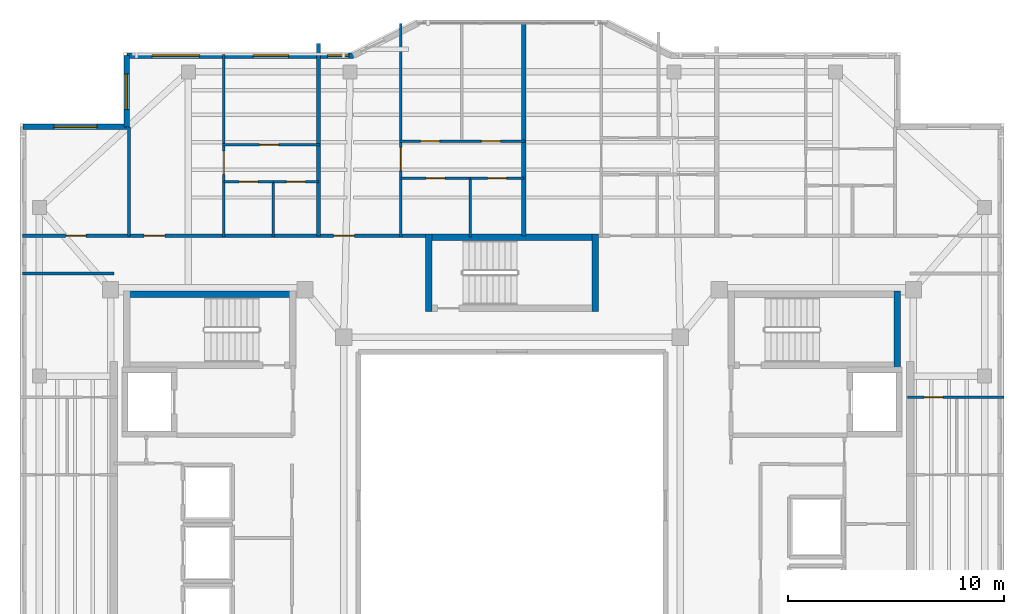
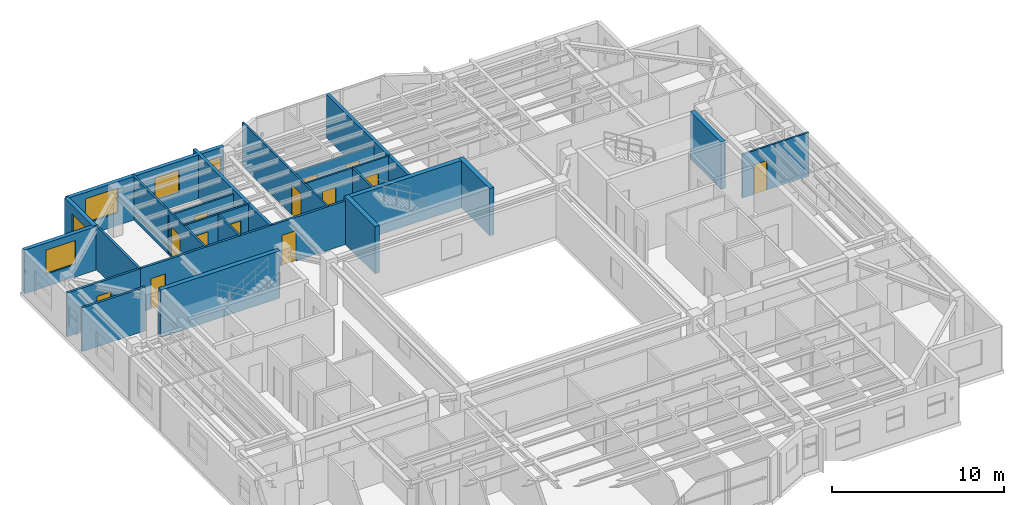
# One storey, part 10 of 15: 25 walls, 13 doors, 5 windows, 18 openings.
"""IFC4 building model written with IfcOpenShell, lengths in metres."""

from ifc_helpers import new_model, si_unit, direction, frame, frame_2d, origin, place, context, subcontext, project, spatial, rectangle, extrude, material, layer, layer_set, type_object, element, fill, save


model = new_model("IFC4")

# Units and contexts
model_context = context("Model", 3, precision=1e-05, world=origin(), true_north=direction((0.0, 1.0)))
body_context = subcontext(model_context, "Body", "Model", "MODEL_VIEW")
ifc_project = project(units=[si_unit("LENGTHUNIT", "METRE"), si_unit("AREAUNIT", "SQUARE_METRE"), si_unit("VOLUMEUNIT", "CUBIC_METRE"), si_unit("PLANEANGLEUNIT", "RADIAN"), si_unit("MASSUNIT", "GRAM", prefix="KILO")], contexts=[model_context])

# Site, building, storey
site_placement = place(None, origin())
site = spatial("IfcSite", under=ifc_project, at=site_placement, CompositionType="ELEMENT")
building_placement = place(site_placement, origin())
building = spatial("IfcBuilding", under=site, at=building_placement, Name="Tarnavaz Court Tower", CompositionType="ELEMENT")
storey_placement = place(building_placement, frame((0.0, 0.0, 241.5)))
storey = spatial("IfcBuildingStorey", under=building, at=storey_placement, Name="L65", CompositionType="ELEMENT", Elevation=241.5)

# Walls
ifc_material_1 = material(Name="Concrete C50/60", Category="concrete")
ifc_layer_1 = layer(ifc_material_1, 0.300048828125)
ifc_layer_set_1 = layer_set([ifc_layer_1], Name="Concrete C50/60")
wall_type_1 = type_object("IfcWallType", Name="WL-CORE-300-C50", PredefinedType="SHEAR", material=ifc_layer_set_1)
wall_1_placement = place(storey_placement, frame((-18.0, 9.7900390625, 0.0), z_axis=(0.0, 0.0, 1.0), x_axis=(1.0, 0.0, 0.0)))
element("IfcWall", 1, at=wall_1_placement, inside=storey, type_object=wall_type_1, Name="L65 West Stair Core Wall 001", PredefinedType="SHEAR", context=body_context, shape_type="SweptSolid", body=[
    extrude(rectangle(XDim=8.0, YDim=0.300048828125, at=frame_2d((4.0, 0.0))), origin(), (0.0, 0.0, 1.0), 3.35009765625),
])
wall_2_placement = place(storey_placement, frame((17.85009765625, 6.35009765625, 0.0), z_axis=(0.0, 0.0, 1.0), x_axis=(0.0, 1.0, 0.0)))
element("IfcWall", 2, at=wall_2_placement, inside=storey, type_object=wall_type_1, Name="L65 East Stair Core Wall 008", PredefinedType="SHEAR", context=body_context, shape_type="SweptSolid", body=[
    extrude(rectangle(XDim=3.58984375, YDim=0.300048828125, at=frame_2d((1.794921875, 0.0))), origin(), (0.0, 0.0, 1.0), 3.35009765625),
])
wall_3_placement = place(storey_placement, frame((-4.0, 12.43994140625, 0.0), z_axis=(0.0, 0.0, 1.0), x_axis=(1.0, 0.0, 0.0)))
element("IfcWall", 3, at=wall_3_placement, inside=storey, type_object=wall_type_1, Name="L65 North Stair Core Wall 009", PredefinedType="SHEAR", context=body_context, shape_type="SweptSolid", body=[
    extrude(rectangle(XDim=8.0, YDim=0.300048828125, at=frame_2d((4.0, 0.0))), origin(), (0.0, 0.0, 1.0), 3.35009765625),
])
for number, where, z_axis, x_axis, name in (
    (4, (-3.85009765625, 9.0, 0.0), (0.0, 0.0, 1.0), (0.0, 1.0, 0.0), "L65 North Stair Core Wall 011"),
    (5, (3.85009765625, 9.0, 0.0), (0.0, 0.0, 1.0), (0.0, 1.0, 0.0), "L65 North Stair Core Wall 012"),
):
    element("IfcWall", number, at=place(storey_placement, frame(where, z_axis=z_axis, x_axis=x_axis)), inside=storey, type_object=wall_type_1, Name=name, PredefinedType="SHEAR", context=body_context, shape_type="SweptSolid", body=[
        extrude(rectangle(XDim=3.590087890625, YDim=0.300048828125, at=frame_2d((1.794921875, 0.0))), origin(), (0.0, 0.0, 1.0), 3.35009765625),
    ])

# Wall, opening, window
ifc_material_2 = material(Name="Precast Concrete C40/50", Category="concrete")
ifc_layer_2 = layer(ifc_material_2, 0.260009765625)
ifc_layer_set_2 = layer_set([ifc_layer_2], Name="Precast Concrete C40/50")
wall_type_2 = type_object("IfcWallType", Name="WL-EXT-260", PredefinedType="SOLIDWALL", material=ifc_layer_set_2)
wall_4_placement = place(storey_placement, frame((-22.64990234375, 17.550048828125, 0.0), z_axis=(0.0, 0.0, 1.0), x_axis=(1.0, 0.0, 0.0)))
wall_4 = element("IfcWall", 6, at=wall_4_placement, inside=storey, type_object=wall_type_2, Name="L65 Exterior Terracotta Facade Wall 03", PredefinedType="SOLIDWALL", context=body_context, shape_type="SweptSolid", body=[
    extrude(rectangle(XDim=4.7998046875, YDim=0.260009765625, at=frame_2d((2.39990234375, 0.0))), origin(), (0.0, 0.0, 1.0), 3.10009765625),
])
opening_1_placement = place(wall_4_placement, frame((1.42529296875, 0.0, 0.89990234375)))
opening_1 = element("IfcOpeningElement", 7, at=opening_1_placement, cuts=wall_4, Name="Opening W08", PredefinedType="OPENING", context=body_context, shape_type="SweptSolid", body=[
    extrude(rectangle(XDim=2.0, YDim=1.699951171875, at=frame_2d((1.0, 0.85009765625))), frame((0.0, 0.139892578125, 0.0), z_axis=(0.0, -1.0, 0.0), x_axis=(1.0, 0.0, 0.0)), (0.0, 0.0, 1.0), 0.280029296875),
])
ifc_material_3 = material(Name="Double-Glazed Solar Low-E Glass", Category="glass")
window_type_1 = type_object("IfcWindowType", Name="WN-APT-2000", PartitioningType="DOUBLE_PANEL_VERTICAL", PredefinedType="WINDOW", material=ifc_material_3)
window_1_placement = place(opening_1_placement, origin())
window_1 = element("IfcWindow", 8, at=window_1_placement, inside=storey, type_object=window_type_1, Name="L65 North-West Corner Sunroom Study Window", OverallHeight=1.699951171875, OverallWidth=2.0, PartitioningType="SINGLE_PANEL", PredefinedType="WINDOW", context=body_context, shape_type="SweptSolid", body=[
    extrude(rectangle(XDim=2.0, YDim=1.699951171875, at=frame_2d((1.0, 0.85009765625))), frame((0.0, 0.030029296875, 0.0), z_axis=(0.0, -1.0, 0.0), x_axis=(1.0, 0.0, 0.0)), (0.0, 0.0, 1.0), 0.06005859375),
])
fill(opening_1, window_1)

wall_5_placement = place(storey_placement, frame((-17.85009765625, 17.550048828125, 0.0), z_axis=(0.0, 0.0, 1.0), x_axis=(0.0, 1.0, 0.0)))
wall_5 = element("IfcWall", 9, at=wall_5_placement, inside=storey, type_object=wall_type_2, Name="L65 Exterior Terracotta Facade Wall 04", PredefinedType="SOLIDWALL", context=body_context, shape_type="SweptSolid", body=[
    extrude(rectangle(XDim=3.300048828125, YDim=0.260009765625, at=frame_2d((1.64990234375, 0.0))), origin(), (0.0, 0.0, 1.0), 3.10009765625),
])
opening_2_placement = place(wall_5_placement, frame((0.8076171875, 0.0, 0.89990234375)))
opening_2 = element("IfcOpeningElement", 10, at=opening_2_placement, cuts=wall_5, Name="Opening W02", PredefinedType="OPENING", context=body_context, shape_type="SweptSolid", body=[
    extrude(rectangle(XDim=1.64990234375, YDim=1.60009765625, at=frame_2d((0.824951171875, 0.800048828125))), frame((0.0, 0.139892578125, 0.0), z_axis=(0.0, -1.0, 0.0), x_axis=(1.0, 0.0, 0.0)), (0.0, 0.0, 1.0), 0.280029296875),
])
window_type_2 = type_object("IfcWindowType", Name="WN-APT-1650", PartitioningType="DOUBLE_PANEL_VERTICAL", PredefinedType="WINDOW", material=ifc_material_3)
window_2_placement = place(opening_2_placement, origin())
window_2 = element("IfcWindow", 11, at=window_2_placement, inside=storey, type_object=window_type_2, Name="L65 Flat 01 Living and Dining Room Window", OverallHeight=1.60009765625, OverallWidth=1.64990234375, PartitioningType="SINGLE_PANEL", PredefinedType="WINDOW", context=body_context, shape_type="SweptSolid", body=[
    extrude(rectangle(XDim=1.64990234375, YDim=1.60009765625, at=frame_2d((0.824951171875, 0.800048828125))), frame((0.0, 0.030029296875, 0.0), z_axis=(0.0, -1.0, 0.0), x_axis=(1.0, 0.0, 0.0)), (0.0, 0.0, 1.0), 0.06005859375),
])
fill(opening_2, window_2)

# Wall, openings, windows
wall_6_placement = place(storey_placement, frame((-17.85009765625, 20.85009765625, 0.0), z_axis=(0.0, 0.0, 1.0), x_axis=(1.0, 0.0, 0.0)))
wall_6 = element("IfcWall", 12, at=wall_6_placement, inside=storey, type_object=wall_type_2, Name="L65 Exterior Terracotta Facade Wall 05", PredefinedType="SOLIDWALL", context=body_context, shape_type="SweptSolid", body=[
    extrude(rectangle(XDim=10.5, YDim=0.260009765625, at=frame_2d((5.25, 0.0))), origin(), (0.0, 0.0, 1.0), 3.10009765625),
])
opening_3_placement = place(wall_6_placement, frame((1.175048828125, 0.0, 0.89990234375)))
opening_3 = element("IfcOpeningElement", 13, at=opening_3_placement, cuts=wall_6, Name="Opening W07", PredefinedType="OPENING", context=body_context, shape_type="SweptSolid", body=[
    extrude(rectangle(XDim=2.199951171875, YDim=1.75, at=frame_2d((1.10009765625, 0.875))), frame((0.0, 0.139892578125, 0.0), z_axis=(0.0, -1.0, 0.0), x_axis=(1.0, 0.0, 0.0)), (0.0, 0.0, 1.0), 0.280029296875),
])
opening_4_placement = place(wall_6_placement, frame((5.85009765625, 0.0, 0.89990234375)))
opening_4 = element("IfcOpeningElement", 14, at=opening_4_placement, cuts=wall_6, Name="Opening W02", PredefinedType="OPENING", context=body_context, shape_type="SweptSolid", body=[
    extrude(rectangle(XDim=1.64990234375, YDim=1.60009765625, at=frame_2d((0.824951171875, 0.800048828125))), frame((0.0, 0.139892578125, 0.0), z_axis=(0.0, -1.0, 0.0), x_axis=(1.0, 0.0, 0.0)), (0.0, 0.0, 1.0), 0.280029296875),
])
opening_5_placement = place(wall_6_placement, frame((9.2919921875, 0.0, 0.949951171875)))
opening_5 = element("IfcOpeningElement", 15, at=opening_5_placement, cuts=wall_6, Name="Opening W14", PredefinedType="OPENING", context=body_context, shape_type="SweptSolid", body=[
    extrude(rectangle(XDim=1.0, YDim=1.5, at=frame_2d((0.5, 0.75))), frame((0.0, 0.139892578125, 0.0), z_axis=(0.0, -1.0, 0.0), x_axis=(1.0, 0.0, 0.0)), (0.0, 0.0, 1.0), 0.280029296875),
])
window_type_3 = type_object("IfcWindowType", Name="WN-APT-1000", PartitioningType="SINGLE_PANEL", PredefinedType="WINDOW", material=ifc_material_3)
window_3_placement = place(opening_5_placement, origin())
window_3 = element("IfcWindow", 16, at=window_3_placement, inside=storey, type_object=window_type_3, Name="L65 Flat 02 Living and Dining Room Window", OverallHeight=1.5, OverallWidth=1.0, PartitioningType="SINGLE_PANEL", PredefinedType="WINDOW", context=body_context, shape_type="SweptSolid", body=[
    extrude(rectangle(XDim=1.0, YDim=1.5, at=frame_2d((0.5, 0.75))), frame((0.0, 0.030029296875, 0.0), z_axis=(0.0, -1.0, 0.0), x_axis=(1.0, 0.0, 0.0)), (0.0, 0.0, 1.0), 0.06005859375),
])
fill(opening_5, window_3)
window_4_placement = place(opening_4_placement, origin())
window_4 = element("IfcWindow", 17, at=window_4_placement, inside=storey, type_object=window_type_2, Name="L65 Flat 01 Bedroom 1 Window", OverallHeight=1.60009765625, OverallWidth=1.64990234375, PartitioningType="SINGLE_PANEL", PredefinedType="WINDOW", context=body_context, shape_type="SweptSolid", body=[
    extrude(rectangle(XDim=1.64990234375, YDim=1.60009765625, at=frame_2d((0.824951171875, 0.800048828125))), frame((0.0, 0.030029296875, 0.0), z_axis=(0.0, -1.0, 0.0), x_axis=(1.0, 0.0, 0.0)), (0.0, 0.0, 1.0), 0.06005859375),
])
fill(opening_4, window_4)
window_type_4 = type_object("IfcWindowType", Name="WN-APT-2200", PartitioningType="TRIPLE_PANEL_VERTICAL", PredefinedType="WINDOW", material=ifc_material_3)
window_5_placement = place(opening_3_placement, origin())
window_5 = element("IfcWindow", 18, at=window_5_placement, inside=storey, type_object=window_type_4, Name="L65 Flat 01 Living and Dining Room Window", OverallHeight=1.75, OverallWidth=2.199951171875, PartitioningType="SINGLE_PANEL", PredefinedType="WINDOW", context=body_context, shape_type="SweptSolid", body=[
    extrude(rectangle(XDim=2.199951171875, YDim=1.75, at=frame_2d((1.10009765625, 0.875))), frame((0.0, 0.030029296875, 0.0), z_axis=(0.0, -1.0, 0.0), x_axis=(1.0, 0.0, 0.0)), (0.0, 0.0, 1.0), 0.06005859375),
])
fill(opening_3, window_5)

# Wall, openings, doors
ifc_material_4 = material(Name="Gypsum Fire-Board on Acoustic Metal Stud", Category="masonry")
ifc_layer_3 = layer(ifc_material_4, 0.14990234375)
ifc_layer_set_3 = layer_set([ifc_layer_3], Name="Gypsum Fire-Board on Acoustic Metal Stud")
wall_type_3 = type_object("IfcWallType", Name="WL-FIRE-150", PredefinedType="PARTITIONING", material=ifc_layer_set_3)
wall_7_placement = place(storey_placement, frame((-17.75, 12.5, 0.0), z_axis=(0.0, 0.0, 1.0), x_axis=(1.0, 0.0, 0.0)))
wall_7 = element("IfcWall", 19, at=wall_7_placement, inside=storey, type_object=wall_type_3, Name="L65 NW Wing Corridor Wall 060", PredefinedType="PARTITIONING", context=body_context, shape_type="SweptSolid", body=[
    extrude(rectangle(XDim=13.89990234375, YDim=0.14990234375, at=frame_2d((6.949951171875, 0.0))), origin(), (0.0, 0.0, 1.0), 3.10009765625),
])
opening_6_placement = place(wall_7_placement, frame((0.699951171875, 0.0, 0.0)))
opening_6 = element("IfcOpeningElement", 20, at=opening_6_placement, cuts=wall_7, Name="Opening D06", PredefinedType="OPENING", context=body_context, shape_type="SweptSolid", body=[
    extrude(rectangle(XDim=0.9599609375, YDim=2.14990234375, at=frame_2d((0.47998046875, 1.074951171875))), frame((0.0, 0.0849609375, 0.0), z_axis=(0.0, -1.0, 0.0), x_axis=(1.0, 0.0, 0.0)), (0.0, 0.0, 1.0), 0.169921875),
])
opening_7_placement = place(wall_7_placement, frame((9.48388671875, 0.0, 0.0)))
opening_7 = element("IfcOpeningElement", 21, at=opening_7_placement, cuts=wall_7, Name="Opening D06", PredefinedType="OPENING", context=body_context, shape_type="SweptSolid", body=[
    extrude(rectangle(XDim=0.9599609375, YDim=2.14990234375, at=frame_2d((0.47998046875, 1.074951171875))), frame((0.0, 0.0849609375, 0.0), z_axis=(0.0, -1.0, 0.0), x_axis=(1.0, 0.0, 0.0)), (0.0, 0.0, 1.0), 0.169921875),
])
ifc_material_5 = material(Name="Fire-Rated Hardwood Timber Core", Category="wood")
door_type_1 = type_object("IfcDoorType", Name="DR-FD60-950", OperationType="NOTDEFINED", PredefinedType="DOOR", material=ifc_material_5)
door_1_placement = place(opening_6_placement, origin())
door_1 = element("IfcDoor", 22, at=door_1_placement, inside=storey, type_object=door_type_1, Name="L65 Flat 01 Entrance Door", OperationType="SINGLE_SWING_RIGHT", OverallHeight=2.14990234375, OverallWidth=0.9599609375, PredefinedType="DOOR", context=body_context, shape_type="SweptSolid", body=[
    extrude(rectangle(XDim=0.9599609375, YDim=2.14990234375, at=frame_2d((0.47998046875, 1.074951171875))), frame((0.0, 0.02490234375, 0.0), z_axis=(0.0, -1.0, 0.0), x_axis=(1.0, 0.0, 0.0)), (0.0, 0.0, 1.0), 0.050048828125),
])
fill(opening_6, door_1)
door_2_placement = place(opening_7_placement, origin())
door_2 = element("IfcDoor", 23, at=door_2_placement, inside=storey, type_object=door_type_1, Name="L65 Flat 02 Entrance Door", OperationType="SINGLE_SWING_LEFT", OverallHeight=2.14990234375, OverallWidth=0.9599609375, PredefinedType="DOOR", context=body_context, shape_type="SweptSolid", body=[
    extrude(rectangle(XDim=0.9599609375, YDim=2.14990234375, at=frame_2d((0.47998046875, 1.074951171875))), frame((0.0, 0.02490234375, 0.0), z_axis=(0.0, -1.0, 0.0), x_axis=(1.0, 0.0, 0.0)), (0.0, 0.0, 1.0), 0.050048828125),
])
fill(opening_7, door_2)

# Wall
wall_8_placement = place(storey_placement, frame((-22.679931640625, 10.75, 0.0), z_axis=(0.0, 0.0, 1.0), x_axis=(1.0, 0.0, 0.0)))
element("IfcWall", 24, at=wall_8_placement, inside=storey, type_object=wall_type_3, Name="L65 Interior Partition 112", PredefinedType="PARTITIONING", context=body_context, shape_type="SweptSolid", body=[
    extrude(rectangle(XDim=4.22998046875, YDim=0.14990234375, at=frame_2d((2.114990234375, 0.0))), origin(), (0.0, 0.0, 1.0), 3.10009765625),
])

# Wall, opening, door
wall_9_placement = place(storey_placement, frame((-22.679931640625, 12.5, 0.0), z_axis=(0.0, 0.0, 1.0), x_axis=(1.0, 0.0, 0.0)))
wall_9 = element("IfcWall", 25, at=wall_9_placement, inside=storey, type_object=wall_type_3, Name="L65 Interior Partition 119", PredefinedType="PARTITIONING", context=body_context, shape_type="SweptSolid", body=[
    extrude(rectangle(XDim=4.929931640625, YDim=0.14990234375, at=frame_2d((2.46484375, 0.0))), origin(), (0.0, 0.0, 1.0), 3.10009765625),
])
opening_8_placement = place(wall_9_placement, frame((1.989990234375, 0.0, 0.0)))
opening_8 = element("IfcOpeningElement", 26, at=opening_8_placement, cuts=wall_9, Name="Opening D13", PredefinedType="OPENING", context=body_context, shape_type="SweptSolid", body=[
    extrude(rectangle(XDim=0.949951171875, YDim=2.14990234375, at=frame_2d((0.47509765625, 1.074951171875))), frame((0.0, 0.0849609375, 0.0), z_axis=(0.0, -1.0, 0.0), x_axis=(1.0, 0.0, 0.0)), (0.0, 0.0, 1.0), 0.169921875),
])
ifc_material_6 = material(Name="Engineered Oak Timber", Category="wood")
door_type_2 = type_object("IfcDoorType", Name="DR-INT-950", OperationType="NOTDEFINED", PredefinedType="DOOR", material=ifc_material_6)
door_3_placement = place(opening_8_placement, origin())
door_3 = element("IfcDoor", 27, at=door_3_placement, inside=storey, type_object=door_type_2, Name="L65 NW Sunroom Door", OperationType="SINGLE_SWING_LEFT", OverallHeight=2.14990234375, OverallWidth=0.949951171875, PredefinedType="DOOR", context=body_context, shape_type="SweptSolid", body=[
    extrude(rectangle(XDim=0.949951171875, YDim=2.14990234375, at=frame_2d((0.47509765625, 1.074951171875))), frame((0.0, 0.02490234375, 0.0), z_axis=(0.0, -1.0, 0.0), x_axis=(1.0, 0.0, 0.0)), (0.0, 0.0, 1.0), 0.050048828125),
])
fill(opening_8, door_3)

# Walls
ifc_material_7 = material(Name="Autoclaved Aerated Concrete Blockwork", Category="masonry")
ifc_layer_4 = layer(ifc_material_7, 0.199951171875)
ifc_layer_set_4 = layer_set([ifc_layer_4], Name="Autoclaved Aerated Concrete Blockwork")
wall_type_4 = type_object("IfcWallType", Name="WL-FIRE-200", PredefinedType="SOLIDWALL", material=ifc_layer_set_4)
wall_10_placement = place(storey_placement, frame((0.550048828125, 12.5, 0.0), z_axis=(0.0, 0.0, 1.0), x_axis=(0.0, 1.0, 0.0)))
element("IfcWall", 28, at=wall_10_placement, inside=storey, type_object=wall_type_4, Name="L65 North Center Party Wall 064", PredefinedType="SOLIDWALL", context=body_context, shape_type="SweptSolid", body=[
    extrude(rectangle(XDim=9.8798828125, YDim=0.199951171875, at=frame_2d((4.93994140625, 0.0))), origin(), (0.0, 0.0, 1.0), 3.10009765625),
])
wall_11_placement = place(storey_placement, frame((-8.966064453125, 12.5, 0.0), z_axis=(0.0, 0.0, 1.0), x_axis=(0.0, 1.0, 0.0)))
element("IfcWall", 29, at=wall_11_placement, inside=storey, type_object=wall_type_4, Name="L65 Party Wall 065", PredefinedType="SOLIDWALL", context=body_context, shape_type="SweptSolid", body=[
    extrude(rectangle(XDim=8.902099609375, YDim=0.199951171875, at=frame_2d((4.451171875, 0.0))), origin(), (0.0, 0.0, 1.0), 3.10009765625),
])

# Wall, opening, door
ifc_material_8 = material(Name="Moisture-Resistant Gypsum Board Partition", Category="masonry")
ifc_layer_5 = layer(ifc_material_8, 0.1201171875)
ifc_layer_set_5 = layer_set([ifc_layer_5], Name="Moisture-Resistant Gypsum Board Partition")
wall_type_5 = type_object("IfcWallType", Name="WL-PART-120", PredefinedType="PARTITIONING", material=ifc_layer_set_5)
wall_12_placement = place(storey_placement, frame((-13.35791015625, 12.43994140625, 0.0), z_axis=(0.0, 0.0, 1.0), x_axis=(0.0, 1.0, 0.0)))
wall_12 = element("IfcWall", 30, at=wall_12_placement, inside=storey, type_object=wall_type_5, Name="L65 Interior Partition 066", PredefinedType="PARTITIONING", context=body_context, shape_type="SweptSolid", body=[
    extrude(rectangle(XDim=8.4599609375, YDim=0.1201171875, at=frame_2d((4.22998046875, 0.0))), origin(), (0.0, 0.0, 1.0), 3.10009765625),
])
opening_9_placement = place(wall_12_placement, frame((2.905029296875, 0.0, 0.0)))
opening_9 = element("IfcOpeningElement", 31, at=opening_9_placement, cuts=wall_12, Name="Opening D12", PredefinedType="OPENING", context=body_context, shape_type="SweptSolid", body=[
    extrude(rectangle(XDim=1.080078125, YDim=2.14990234375, at=frame_2d((0.5400390625, 1.074951171875))), frame((0.0, 0.070068359375, 0.0), z_axis=(0.0, -1.0, 0.0), x_axis=(1.0, 0.0, 0.0)), (0.0, 0.0, 1.0), 0.14013671875),
])
door_type_3 = type_object("IfcDoorType", Name="DR-INT-1100", OperationType="NOTDEFINED", PredefinedType="DOOR", material=ifc_material_6)
door_4_placement = place(opening_9_placement, origin())
door_4 = element("IfcDoor", 32, at=door_4_placement, inside=storey, type_object=door_type_3, Name="L65 Flat 01 Foyer Door", OperationType="SINGLE_SWING_LEFT", OverallHeight=2.14990234375, OverallWidth=1.080078125, PredefinedType="DOOR", context=body_context, shape_type="SweptSolid", body=[
    extrude(rectangle(XDim=1.080078125, YDim=2.14990234375, at=frame_2d((0.5400390625, 1.074951171875))), frame((0.0, 0.02490234375, 0.0), z_axis=(0.0, -1.0, 0.0), x_axis=(1.0, 0.0, 0.0)), (0.0, 0.0, 1.0), 0.050048828125),
])
fill(opening_9, door_4)

wall_13_placement = place(storey_placement, frame((-13.35791015625, 15.0, 0.0), z_axis=(0.0, 0.0, 1.0), x_axis=(1.0, 0.0, 0.0)))
wall_13 = element("IfcWall", 33, at=wall_13_placement, inside=storey, type_object=wall_type_5, Name="L65 Interior Partition 067", PredefinedType="PARTITIONING", context=body_context, shape_type="SweptSolid", body=[
    extrude(rectangle(XDim=2.2958984375, YDim=0.1201171875, at=frame_2d((1.14794921875, 0.0))), origin(), (0.0, 0.0, 1.0), 3.10009765625),
])
opening_10_placement = place(wall_13_placement, frame((0.7080078125, 0.0, 0.0)))
opening_10 = element("IfcOpeningElement", 34, at=opening_10_placement, cuts=wall_13, Name="Opening D14", PredefinedType="OPENING", context=body_context, shape_type="SweptSolid", body=[
    extrude(rectangle(XDim=0.8798828125, YDim=2.10009765625, at=frame_2d((0.43994140625, 1.050048828125))), frame((0.0, 0.070068359375, 0.0), z_axis=(0.0, -1.0, 0.0), x_axis=(1.0, 0.0, 0.0)), (0.0, 0.0, 1.0), 0.14013671875),
])
door_type_4 = type_object("IfcDoorType", Name="DR-INT-900", OperationType="NOTDEFINED", PredefinedType="DOOR", material=ifc_material_6)
door_5_placement = place(opening_10_placement, origin())
door_5 = element("IfcDoor", 35, at=door_5_placement, inside=storey, type_object=door_type_4, Name="L65 Flat 01 Kitchen Door", OperationType="SINGLE_SWING_RIGHT", OverallHeight=2.10009765625, OverallWidth=0.8798828125, PredefinedType="DOOR", context=body_context, shape_type="SweptSolid", body=[
    extrude(rectangle(XDim=0.8798828125, YDim=2.10009765625, at=frame_2d((0.43994140625, 1.050048828125))), frame((0.0, 0.02490234375, 0.0), z_axis=(0.0, -1.0, 0.0), x_axis=(1.0, 0.0, 0.0)), (0.0, 0.0, 1.0), 0.050048828125),
])
fill(opening_10, door_5)

wall_14_placement = place(storey_placement, frame((-11.06201171875, 15.0, 0.0), z_axis=(0.0, 0.0, 1.0), x_axis=(1.0, 0.0, 0.0)))
wall_14 = element("IfcWall", 36, at=wall_14_placement, inside=storey, type_object=wall_type_5, Name="L65 Interior Partition 068", PredefinedType="PARTITIONING", context=body_context, shape_type="SweptSolid", body=[
    extrude(rectangle(XDim=2.095947265625, YDim=0.1201171875, at=frame_2d((1.0478515625, 0.0))), origin(), (0.0, 0.0, 1.0), 3.10009765625),
])
opening_11_placement = place(wall_14_placement, frame((0.60791015625, 0.0, 0.0)))
opening_11 = element("IfcOpeningElement", 37, at=opening_11_placement, cuts=wall_14, Name="Opening D14", PredefinedType="OPENING", context=body_context, shape_type="SweptSolid", body=[
    extrude(rectangle(XDim=0.8798828125, YDim=2.10009765625, at=frame_2d((0.43994140625, 1.050048828125))), frame((0.0, 0.070068359375, 0.0), z_axis=(0.0, -1.0, 0.0), x_axis=(1.0, 0.0, 0.0)), (0.0, 0.0, 1.0), 0.14013671875),
])
door_6_placement = place(opening_11_placement, origin())
door_6 = element("IfcDoor", 38, at=door_6_placement, inside=storey, type_object=door_type_4, Name="L65 Flat 01 Bathroom Door", OperationType="SINGLE_SWING_LEFT", OverallHeight=2.10009765625, OverallWidth=0.8798828125, PredefinedType="DOOR", context=body_context, shape_type="SweptSolid", body=[
    extrude(rectangle(XDim=0.8798828125, YDim=2.10009765625, at=frame_2d((0.43994140625, 1.050048828125))), frame((0.0, 0.02490234375, 0.0), z_axis=(0.0, -1.0, 0.0), x_axis=(1.0, 0.0, 0.0)), (0.0, 0.0, 1.0), 0.050048828125),
])
fill(opening_11, door_6)

wall_15_placement = place(storey_placement, frame((-13.41796875, 16.7099609375, 0.0), z_axis=(0.0, 0.0, 1.0), x_axis=(1.0, 0.0, 0.0)))
wall_15 = element("IfcWall", 39, at=wall_15_placement, inside=storey, type_object=wall_type_5, Name="L65 Interior Partition 069", PredefinedType="PARTITIONING", context=body_context, shape_type="SweptSolid", body=[
    extrude(rectangle(XDim=4.511962890625, YDim=0.1201171875, at=frame_2d((2.255859375, 0.0))), origin(), (0.0, 0.0, 1.0), 2.784912109375),
])
opening_12_placement = place(wall_15_placement, frame((1.72607421875, 0.0, 0.0)))
opening_12 = element("IfcOpeningElement", 40, at=opening_12_placement, cuts=wall_15, Name="Opening D14", PredefinedType="OPENING", context=body_context, shape_type="SweptSolid", body=[
    extrude(rectangle(XDim=0.8798828125, YDim=2.10009765625, at=frame_2d((0.43994140625, 1.050048828125))), frame((0.0, 0.070068359375, 0.0), z_axis=(0.0, -1.0, 0.0), x_axis=(1.0, 0.0, 0.0)), (0.0, 0.0, 1.0), 0.14013671875),
])
door_7_placement = place(opening_12_placement, origin())
door_7 = element("IfcDoor", 41, at=door_7_placement, inside=storey, type_object=door_type_4, Name="L65 Flat 01 Bedroom 1 Door", OperationType="SINGLE_SWING_RIGHT", OverallHeight=2.10009765625, OverallWidth=0.8798828125, PredefinedType="DOOR", context=body_context, shape_type="SweptSolid", body=[
    extrude(rectangle(XDim=0.8798828125, YDim=2.10009765625, at=frame_2d((0.43994140625, 1.050048828125))), frame((0.0, 0.02490234375, 0.0), z_axis=(0.0, -1.0, 0.0), x_axis=(1.0, 0.0, 0.0)), (0.0, 0.0, 1.0), 0.050048828125),
])
fill(opening_12, door_7)

# Wall
wall_16_placement = place(storey_placement, frame((-11.06201171875, 12.43994140625, 0.0), z_axis=(0.0, 0.0, 1.0), x_axis=(0.0, 1.0, 0.0)))
element("IfcWall", 42, at=wall_16_placement, inside=storey, type_object=wall_type_5, Name="L65 Interior Partition 070", PredefinedType="PARTITIONING", context=body_context, shape_type="SweptSolid", body=[
    extrude(rectangle(XDim=2.6201171875, YDim=0.1201171875, at=frame_2d((1.31005859375, 0.0))), origin(), (0.0, 0.0, 1.0), 3.10009765625),
])

# Wall, opening, door
wall_17_placement = place(storey_placement, frame((-5.14794921875, 12.43994140625, 0.0), z_axis=(0.0, 0.0, 1.0), x_axis=(0.0, 1.0, 0.0)))
wall_17 = element("IfcWall", 43, at=wall_17_placement, inside=storey, type_object=wall_type_5, Name="L65 Interior Partition 071", PredefinedType="PARTITIONING", context=body_context, shape_type="SweptSolid", body=[
    extrude(rectangle(XDim=9.903076171875, YDim=0.1201171875, at=frame_2d((4.95166015625, 0.0))), origin(), (0.0, 0.0, 1.0), 3.10009765625),
])
opening_13_placement = place(wall_17_placement, frame((3.074951171875, 0.0, 0.0)))
opening_13 = element("IfcOpeningElement", 44, at=opening_13_placement, cuts=wall_17, Name="Opening D12", PredefinedType="OPENING", context=body_context, shape_type="SweptSolid", body=[
    extrude(rectangle(XDim=1.080078125, YDim=2.14990234375, at=frame_2d((0.5400390625, 1.074951171875))), frame((0.0, 0.070068359375, 0.0), z_axis=(0.0, -1.0, 0.0), x_axis=(1.0, 0.0, 0.0)), (0.0, 0.0, 1.0), 0.14013671875),
])
door_8_placement = place(opening_13_placement, origin())
door_8 = element("IfcDoor", 45, at=door_8_placement, inside=storey, type_object=door_type_3, Name="L65 Flat 02 Foyer Door", OperationType="SINGLE_SWING_RIGHT", OverallHeight=2.14990234375, OverallWidth=1.080078125, PredefinedType="DOOR", context=body_context, shape_type="SweptSolid", body=[
    extrude(rectangle(XDim=1.080078125, YDim=2.14990234375, at=frame_2d((0.5400390625, 1.074951171875))), frame((0.0, 0.02490234375, 0.0), z_axis=(0.0, -1.0, 0.0), x_axis=(1.0, 0.0, 0.0)), (0.0, 0.0, 1.0), 0.050048828125),
])
fill(opening_13, door_8)

wall_18_placement = place(storey_placement, frame((-5.14794921875, 15.169921875, 0.0), z_axis=(0.0, 0.0, 1.0), x_axis=(1.0, 0.0, 0.0)))
wall_18 = element("IfcWall", 46, at=wall_18_placement, inside=storey, type_object=wall_type_5, Name="L65 Interior Partition 072", PredefinedType="PARTITIONING", context=body_context, shape_type="SweptSolid", body=[
    extrude(rectangle(XDim=3.2138671875, YDim=0.1201171875, at=frame_2d((1.60693359375, 0.0))), origin(), (0.0, 0.0, 1.0), 3.10009765625),
])
opening_14_placement = place(wall_18_placement, frame((1.1669921875, 0.0, 0.0)))
opening_14 = element("IfcOpeningElement", 47, at=opening_14_placement, cuts=wall_18, Name="Opening D14", PredefinedType="OPENING", context=body_context, shape_type="SweptSolid", body=[
    extrude(rectangle(XDim=0.8798828125, YDim=2.10009765625, at=frame_2d((0.43994140625, 1.050048828125))), frame((0.0, 0.070068359375, 0.0), z_axis=(0.0, -1.0, 0.0), x_axis=(1.0, 0.0, 0.0)), (0.0, 0.0, 1.0), 0.14013671875),
])
door_9_placement = place(opening_14_placement, origin())
door_9 = element("IfcDoor", 48, at=door_9_placement, inside=storey, type_object=door_type_4, Name="L65 Flat 02 Kitchen Door", OperationType="SINGLE_SWING_LEFT", OverallHeight=2.10009765625, OverallWidth=0.8798828125, PredefinedType="DOOR", context=body_context, shape_type="SweptSolid", body=[
    extrude(rectangle(XDim=0.8798828125, YDim=2.10009765625, at=frame_2d((0.43994140625, 1.050048828125))), frame((0.0, 0.02490234375, 0.0), z_axis=(0.0, -1.0, 0.0), x_axis=(1.0, 0.0, 0.0)), (0.0, 0.0, 1.0), 0.050048828125),
])
fill(opening_14, door_9)

wall_19_placement = place(storey_placement, frame((-1.93408203125, 15.169921875, 0.0), z_axis=(0.0, 0.0, 1.0), x_axis=(1.0, 0.0, 0.0)))
wall_19 = element("IfcWall", 49, at=wall_19_placement, inside=storey, type_object=wall_type_5, Name="L65 Interior Partition 073", PredefinedType="PARTITIONING", context=body_context, shape_type="SweptSolid", body=[
    extrude(rectangle(XDim=2.484130859375, YDim=0.1201171875, at=frame_2d((1.2421875, 0.0))), origin(), (0.0, 0.0, 1.0), 3.10009765625),
])
opening_15_placement = place(wall_19_placement, frame((0.802001953125, 0.0, 0.0)))
opening_15 = element("IfcOpeningElement", 50, at=opening_15_placement, cuts=wall_19, Name="Opening D14", PredefinedType="OPENING", context=body_context, shape_type="SweptSolid", body=[
    extrude(rectangle(XDim=0.8798828125, YDim=2.10009765625, at=frame_2d((0.43994140625, 1.050048828125))), frame((0.0, 0.070068359375, 0.0), z_axis=(0.0, -1.0, 0.0), x_axis=(1.0, 0.0, 0.0)), (0.0, 0.0, 1.0), 0.14013671875),
])
door_10_placement = place(opening_15_placement, origin())
door_10 = element("IfcDoor", 51, at=door_10_placement, inside=storey, type_object=door_type_4, Name="L65 Flat 02 Bathroom Door", OperationType="SINGLE_SWING_RIGHT", OverallHeight=2.10009765625, OverallWidth=0.8798828125, PredefinedType="DOOR", context=body_context, shape_type="SweptSolid", body=[
    extrude(rectangle(XDim=0.8798828125, YDim=2.10009765625, at=frame_2d((0.43994140625, 1.050048828125))), frame((0.0, 0.02490234375, 0.0), z_axis=(0.0, -1.0, 0.0), x_axis=(1.0, 0.0, 0.0)), (0.0, 0.0, 1.0), 0.050048828125),
])
fill(opening_15, door_10)

# Wall, openings, doors
wall_20_placement = place(storey_placement, frame((-5.2080078125, 16.8798828125, 0.0), z_axis=(0.0, 0.0, 1.0), x_axis=(1.0, 0.0, 0.0)))
wall_20 = element("IfcWall", 52, at=wall_20_placement, inside=storey, type_object=wall_type_5, Name="L65 Interior Partition 074", PredefinedType="PARTITIONING", context=body_context, shape_type="SweptSolid", body=[
    extrude(rectangle(XDim=5.818115234375, YDim=0.1201171875, at=frame_2d((2.9091796875, 0.0))), origin(), (0.0, 0.0, 1.0), 2.784912109375),
])
opening_16_placement = place(wall_20_placement, frame((0.969970703125, 0.0, 0.0)))
opening_16 = element("IfcOpeningElement", 53, at=opening_16_placement, cuts=wall_20, Name="Opening D14", PredefinedType="OPENING", context=body_context, shape_type="SweptSolid", body=[
    extrude(rectangle(XDim=0.8798828125, YDim=2.10009765625, at=frame_2d((0.43994140625, 1.050048828125))), frame((0.0, 0.070068359375, 0.0), z_axis=(0.0, -1.0, 0.0), x_axis=(1.0, 0.0, 0.0)), (0.0, 0.0, 1.0), 0.14013671875),
])
opening_17_placement = place(wall_20_placement, frame((3.7880859375, 0.0, 0.0)))
opening_17 = element("IfcOpeningElement", 54, at=opening_17_placement, cuts=wall_20, Name="Opening D14", PredefinedType="OPENING", context=body_context, shape_type="SweptSolid", body=[
    extrude(rectangle(XDim=0.8798828125, YDim=2.10009765625, at=frame_2d((0.43994140625, 1.050048828125))), frame((0.0, 0.070068359375, 0.0), z_axis=(0.0, -1.0, 0.0), x_axis=(1.0, 0.0, 0.0)), (0.0, 0.0, 1.0), 0.14013671875),
])
door_11_placement = place(opening_16_placement, origin())
door_11 = element("IfcDoor", 55, at=door_11_placement, inside=storey, type_object=door_type_4, Name="L65 Flat 02 Bedroom 1 Door", OperationType="SINGLE_SWING_LEFT", OverallHeight=2.10009765625, OverallWidth=0.8798828125, PredefinedType="DOOR", context=body_context, shape_type="SweptSolid", body=[
    extrude(rectangle(XDim=0.8798828125, YDim=2.10009765625, at=frame_2d((0.43994140625, 1.050048828125))), frame((0.0, 0.02490234375, 0.0), z_axis=(0.0, -1.0, 0.0), x_axis=(1.0, 0.0, 0.0)), (0.0, 0.0, 1.0), 0.050048828125),
])
fill(opening_16, door_11)
door_12_placement = place(opening_17_placement, origin())
door_12 = element("IfcDoor", 56, at=door_12_placement, inside=storey, type_object=door_type_4, Name="L65 Flat 02 Bedroom 2 Door", OperationType="SINGLE_SWING_RIGHT", OverallHeight=2.10009765625, OverallWidth=0.8798828125, PredefinedType="DOOR", context=body_context, shape_type="SweptSolid", body=[
    extrude(rectangle(XDim=0.8798828125, YDim=2.10009765625, at=frame_2d((0.43994140625, 1.050048828125))), frame((0.0, 0.02490234375, 0.0), z_axis=(0.0, -1.0, 0.0), x_axis=(1.0, 0.0, 0.0)), (0.0, 0.0, 1.0), 0.050048828125),
])
fill(opening_17, door_12)

# Wall
wall_21_placement = place(storey_placement, frame((-1.93408203125, 12.43994140625, 0.0), z_axis=(0.0, 0.0, 1.0), x_axis=(0.0, 1.0, 0.0)))
element("IfcWall", 57, at=wall_21_placement, inside=storey, type_object=wall_type_5, Name="L65 Interior Partition 075", PredefinedType="PARTITIONING", context=body_context, shape_type="SweptSolid", body=[
    extrude(rectangle(XDim=2.7900390625, YDim=0.1201171875, at=frame_2d((1.39501953125, 0.0))), origin(), (0.0, 0.0, 1.0), 3.10009765625),
])

# Wall, opening, door
wall_22_placement = place(storey_placement, frame((18.330078125, 5.02001953125, 0.0), z_axis=(0.0, 0.0, 1.0), x_axis=(1.0, 0.0, 0.0)))
wall_22 = element("IfcWall", 58, at=wall_22_placement, inside=storey, type_object=wall_type_5, Name="L65 Interior Partition 127", PredefinedType="PARTITIONING", context=body_context, shape_type="SweptSolid", body=[
    extrude(rectangle(XDim=4.469970703125, YDim=0.1201171875, at=frame_2d((2.23486328125, 0.0))), origin(), (0.0, 0.0, 1.0), 3.10009765625),
])
opening_18_placement = place(wall_22_placement, frame((0.77001953125, 0.0, 0.0)))
opening_18 = element("IfcOpeningElement", 59, at=opening_18_placement, cuts=wall_22, Name="Opening D14", PredefinedType="OPENING", context=body_context, shape_type="SweptSolid", body=[
    extrude(rectangle(XDim=0.8798828125, YDim=2.10009765625, at=frame_2d((0.43994140625, 1.050048828125))), frame((0.0, 0.070068359375, 0.0), z_axis=(0.0, -1.0, 0.0), x_axis=(1.0, 0.0, 0.0)), (0.0, 0.0, 1.0), 0.14013671875),
])
door_13_placement = place(opening_18_placement, origin())
door_13 = element("IfcDoor", 60, at=door_13_placement, inside=storey, type_object=door_type_4, Name="L65 Flat 09 Study Door", OperationType="SINGLE_SWING_RIGHT", OverallHeight=2.10009765625, OverallWidth=0.8798828125, PredefinedType="DOOR", context=body_context, shape_type="SweptSolid", body=[
    extrude(rectangle(XDim=0.8798828125, YDim=2.10009765625, at=frame_2d((0.43994140625, 1.050048828125))), frame((0.0, 0.02490234375, 0.0), z_axis=(0.0, -1.0, 0.0), x_axis=(1.0, 0.0, 0.0)), (0.0, 0.0, 1.0), 0.050048828125),
])
fill(opening_18, door_13)

# Wall
ifc_material_9 = material(Name="Gypsum Plasterboard Acoustic Partition", Category="masonry")
ifc_layer_6 = layer(ifc_material_9, 0.139892578125)
ifc_layer_set_6 = layer_set([ifc_layer_6], Name="Gypsum Plasterboard Acoustic Partition")
wall_type_6 = type_object("IfcWallType", Name="WL-PART-150", PredefinedType="PARTITIONING", material=ifc_layer_set_6)
wall_23_placement = place(storey_placement, frame((-17.75, 12.5, 0.0), z_axis=(0.0, 0.0, 1.0), x_axis=(0.0, 1.0, 0.0)))
element("IfcWall", 61, at=wall_23_placement, inside=storey, type_object=wall_type_6, Name="L65 Interior Partition 117", PredefinedType="PARTITIONING", context=body_context, shape_type="SweptSolid", body=[
    extrude(rectangle(XDim=5.050048828125, YDim=0.139892578125, at=frame_2d((2.52490234375, 0.0))), origin(), (0.0, 0.0, 1.0), 3.10009765625),
])

save(model, "model.ifc")
